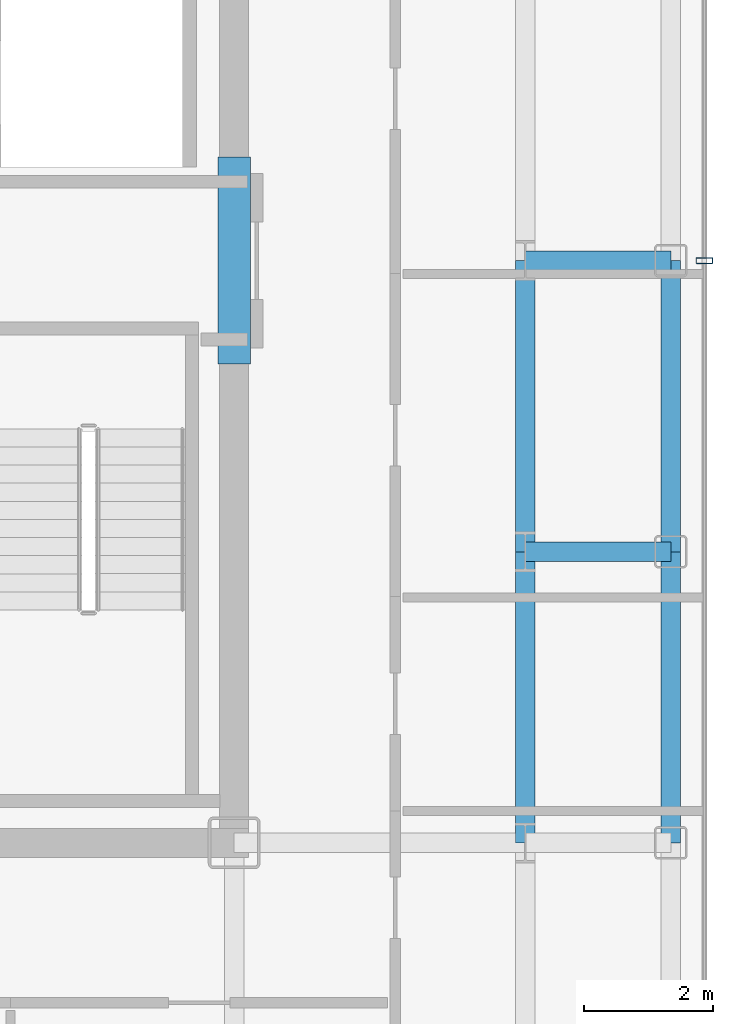
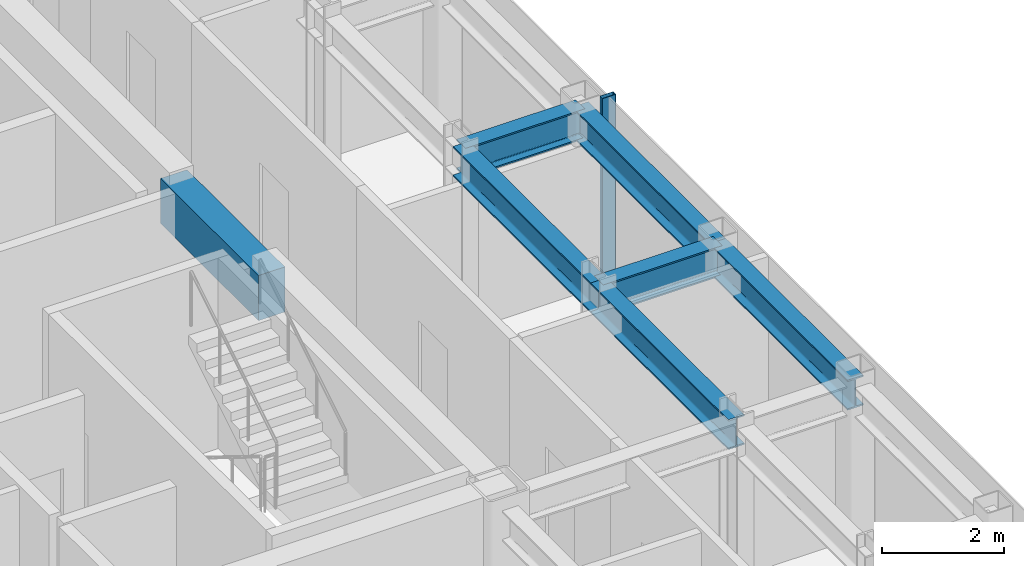
# One storey, part 7 of 18: 7 beams, 1 member, 1 element without a shape of its own.
"""IFC4 building model written with IfcOpenShell, lengths in metres."""

from ifc_helpers import new_model, si_unit, direction, frame, origin, origin_2d, place, context, subcontext, project, spatial, rectangle, hollow_rectangle, i_section, extrude, source, transform, mapped, material, layer, layer_set, material_profile, profile_set, type_object, element, aggregate, save


model = new_model("IFC4")

# Units and contexts
model_context = context("Model", 3, precision=1e-05, world=origin(), true_north=direction((0.0, 1.0)))
body_context = subcontext(model_context, "Body", "Model", "MODEL_VIEW")
ifc_project = project(units=[si_unit("LENGTHUNIT", "METRE"), si_unit("AREAUNIT", "SQUARE_METRE"), si_unit("VOLUMEUNIT", "CUBIC_METRE"), si_unit("PLANEANGLEUNIT", "RADIAN"), si_unit("MASSUNIT", "GRAM", prefix="KILO")], contexts=[model_context])

# Site, building, storey
site_placement = place(None, origin())
site = spatial("IfcSite", under=ifc_project, at=site_placement, CompositionType="ELEMENT")
building_placement = place(site_placement, origin())
building = spatial("IfcBuilding", under=site, at=building_placement, Name="Nefas-Gora Pilgrimage Tower", CompositionType="ELEMENT")
storey_placement = place(building_placement, frame((0.0, 0.0, 295.0)))
storey = spatial("IfcBuildingStorey", under=building, at=storey_placement, Name="L74", CompositionType="ELEMENT", Elevation=295.0)

# Beams
ifc_material_1 = material(Name="Concrete C50/60", Category="concrete")
ifc_material_profile_1 = material_profile(ifc_material_1, rectangle(XDim=0.5, YDim=0.89990234375, at=origin_2d()), Name="RC 500x900")
ifc_profile_set_1 = profile_set([ifc_material_profile_1], Name="Concrete C50/60")
beam_type_1 = type_object("IfcBeamType", Name="BM-LIN-RC900", PredefinedType="LINTEL", material=ifc_profile_set_1)
shared_shape_1 = source(origin(), body_context, "Body", "SweptSolid", [
    extrude(rectangle(XDim=0.5, YDim=0.89990234375, at=origin_2d()), origin(), (0.0, 0.0, 1.0), 3.2001953125),
])
beam_placement = place(storey_placement, frame((11.25, -1.60009765625, 3.10009765625), z_axis=(0.0, 1.0, 0.0), x_axis=(-1.0, 0.0, 0.0)))
element("IfcBeam", 1, at=beam_placement, inside=storey, type_object=beam_type_1, Name="L74 Core Coupling Lintel Beam E", PredefinedType="LINTEL", context=body_context, shape_type="MappedRepresentation", body=[
    mapped(shared_shape_1, transform((0.0, 0.0, 0.0), x_axis=(1.0, 0.0, 0.0), y_axis=(0.0, 1.0, 0.0), z_axis=(0.0, 0.0, 1.0), scale=1.0)),
])
ifc_material_2 = material(Name="Steel S355", Category="steel")
ifc_material_profile_2 = material_profile(ifc_material_2, i_section(OverallWidth=0.300048828125, OverallDepth=0.60009765625, WebThickness=0.015380859375, FlangeThickness=0.030029296875, FilletRadius=0.027099609375, at=origin_2d()), Name="HEB 600")
ifc_profile_set_2 = profile_set([ifc_material_profile_2], Name="Steel S355")
beam_type_2 = type_object("IfcBeamType", Name="BM-SPN-HEB450", PredefinedType="SPANDREL", material=ifc_profile_set_2)
shared_shape_2 = source(origin(), body_context, "Body", "SweptSolid", [
    extrude(i_section(OverallWidth=0.300048828125, OverallDepth=0.60009765625, WebThickness=0.015380859375, FlangeThickness=0.030029296875, FilletRadius=0.027099609375, at=origin_2d()), origin(), (0.0, 0.0, 1.0), 4.5),
])
for number, where, z_axis, x_axis, name in (
    (2, (18.0, -9.0, 3.25), (0.0, 1.0, 0.0), (-1.0, 0.0, 0.0), "L74 SP-03 beam"),
    (3, (18.0, -4.5, 3.25), (0.0, 1.0, 0.0), (-1.0, 0.0, 0.0), "L74 SP-03 beam"),
):
    element("IfcBeam", number, at=place(storey_placement, frame(where, z_axis=z_axis, x_axis=x_axis)), inside=storey, type_object=beam_type_2, Name=name, PredefinedType="SPANDREL", context=body_context, shape_type="MappedRepresentation", body=[
        mapped(shared_shape_2, transform((0.0, 0.0, 0.0), x_axis=(1.0, 0.0, 0.0), y_axis=(0.0, 1.0, 0.0), z_axis=(0.0, 0.0, 1.0), scale=1.0)),
    ])
ifc_material_profile_3 = material_profile(ifc_material_2, i_section(OverallWidth=0.300048828125, OverallDepth=0.60009765625, WebThickness=0.015380859375, FlangeThickness=0.030029296875, FilletRadius=0.027099609375, at=origin_2d()), Name="HEB 600")
ifc_profile_set_3 = profile_set([ifc_material_profile_3], Name="Steel S355")
beam_type_3 = type_object("IfcBeamType", Name="BM-GIR-HEB600", PredefinedType="BEAM", material=ifc_profile_set_3)
shared_shape_3 = source(origin(), body_context, "Body", "SweptSolid", [
    extrude(i_section(OverallWidth=0.300048828125, OverallDepth=0.60009765625, WebThickness=0.015380859375, FlangeThickness=0.030029296875, FilletRadius=0.027099609375, at=origin_2d()), origin(), (0.0, 0.0, 1.0), 4.5),
])
for number, where, z_axis, x_axis, name in (
    (4, (15.75, -9.0, 3.25), (0.0, 1.0, 0.0), (-1.0, 0.0, 0.0), "L74 G-04 beam"),
    (5, (15.75, -4.5, 3.25), (0.0, 1.0, 0.0), (-1.0, 0.0, 0.0), "L74 G-04 beam"),
):
    element("IfcBeam", number, at=place(storey_placement, frame(where, z_axis=z_axis, x_axis=x_axis)), inside=storey, type_object=beam_type_3, Name=name, PredefinedType="BEAM", context=body_context, shape_type="MappedRepresentation", body=[
        mapped(shared_shape_3, transform((0.0, 0.0, 0.0), x_axis=(1.0, 0.0, 0.0), y_axis=(0.0, 1.0, 0.0), z_axis=(0.0, 0.0, 1.0), scale=1.0)),
    ])
shared_shape_4 = source(origin(), body_context, "Body", "SweptSolid", [
    extrude(i_section(OverallWidth=0.300048828125, OverallDepth=0.60009765625, WebThickness=0.015380859375, FlangeThickness=0.030029296875, FilletRadius=0.027099609375, at=origin_2d()), origin(), (0.0, 0.0, 1.0), 2.25),
])
for number, where, z_axis, x_axis, name in (
    (6, (15.75, -4.5, 3.25), (1.0, 0.0, 0.0), (0.0, 1.0, 0.0), "L74 G-04 beam"),
    (7, (15.75, 0.0, 3.25), (1.0, 0.0, 0.0), (0.0, 1.0, 0.0), "L74 G-04 beam"),
):
    element("IfcBeam", number, at=place(storey_placement, frame(where, z_axis=z_axis, x_axis=x_axis)), inside=storey, type_object=beam_type_3, Name=name, PredefinedType="BEAM", context=body_context, shape_type="MappedRepresentation", body=[
        mapped(shared_shape_4, transform((0.0, 0.0, 0.0), x_axis=(1.0, 0.0, 0.0), y_axis=(0.0, 1.0, 0.0), z_axis=(0.0, 0.0, 1.0), scale=1.0)),
    ])

# Curtain wall, member
ifc_material_3 = material(Name="Dark ceramic-fritted solar-control aluminium-glass curtain wall", Category="aluminium")
ifc_layer = layer(ifc_material_3, 0.219970703125)
ifc_layer_set = layer_set([ifc_layer], Name="Dark ceramic-fritted solar-control aluminium-glass curtain wall")
curtain_wall_type = type_object("IfcCurtainWallType", Name="CW-SYS-4", PredefinedType="NOTDEFINED", material=ifc_layer_set)
curtain_wall_placement = place(storey_placement, origin())
curtain_wall = element("IfcCurtainWall", 8, at=curtain_wall_placement, inside=storey, type_object=curtain_wall_type, Name="L74 Unitised Curtain Wall CW4", PredefinedType="NOTDEFINED")
ifc_material_4 = material(Name="Anodised architectural aluminium", Category="aluminium")
ifc_material_profile_4 = material_profile(ifc_material_4, hollow_rectangle(XDim=0.090087890625, YDim=0.260009765625, WallThickness=0.006103515625, InnerFilletRadius=0.006103515625, OuterFilletRadius=0.011962890625, at=origin_2d()), Name="ALU MULLION 90x260")
ifc_profile_set_4 = profile_set([ifc_material_profile_4], Name="Anodised architectural aluminium")
member_type = type_object("IfcMemberType", Name="CWM-MUL-4", PredefinedType="MULLION", material=ifc_profile_set_4)
shared_shape_5 = source(origin(), body_context, "Body", "SweptSolid", [
    extrude(hollow_rectangle(XDim=0.090087890625, YDim=0.260009765625, WallThickness=0.006103515625, InnerFilletRadius=0.006103515625, OuterFilletRadius=0.011962890625, at=origin_2d()), origin(), (0.0, 0.0, 1.0), 3.550048828125),
])
member_placement = place(storey_placement, frame((18.52001953125, 0.0, 0.0), z_axis=(0.0, 0.0, 1.0), x_axis=(0.0, 1.0, 0.0)))
member = element("IfcMember", 9, at=member_placement, type_object=member_type, Name="CW4 Mullion 2", PredefinedType="MULLION", context=body_context, shape_type="MappedRepresentation", body=[
    mapped(shared_shape_5, transform((0.0, 0.0, 0.0), x_axis=(1.0, 0.0, 0.0), y_axis=(0.0, 1.0, 0.0), z_axis=(0.0, 0.0, 1.0), scale=1.0)),
])
aggregate(curtain_wall, [member])

save(model, "model.ifc")
